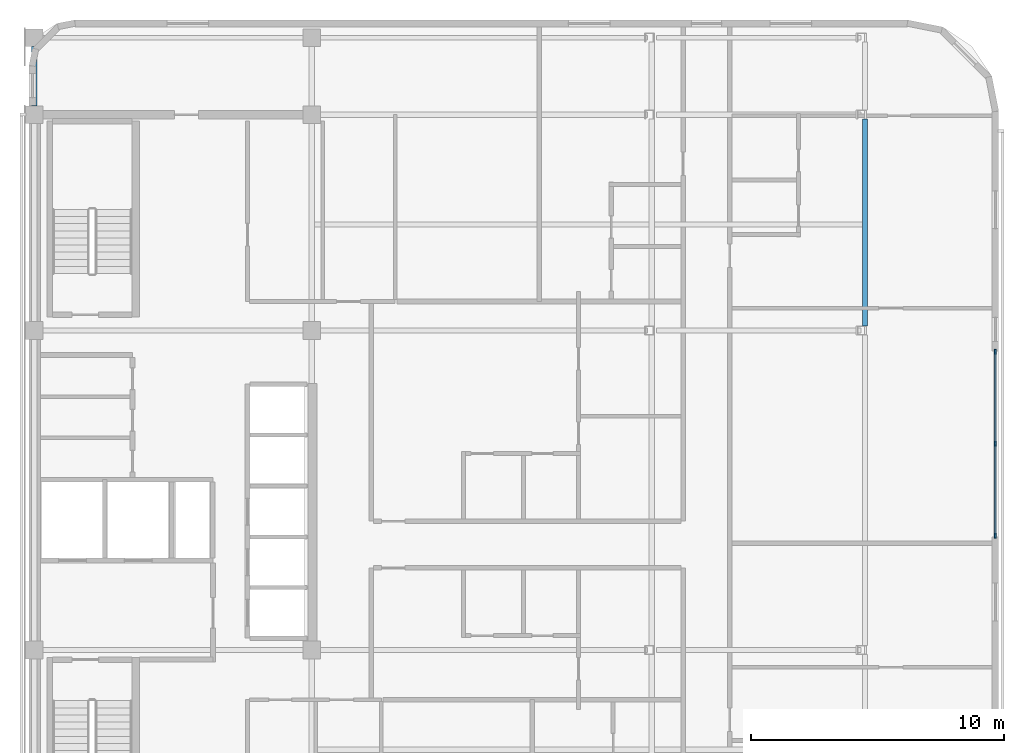
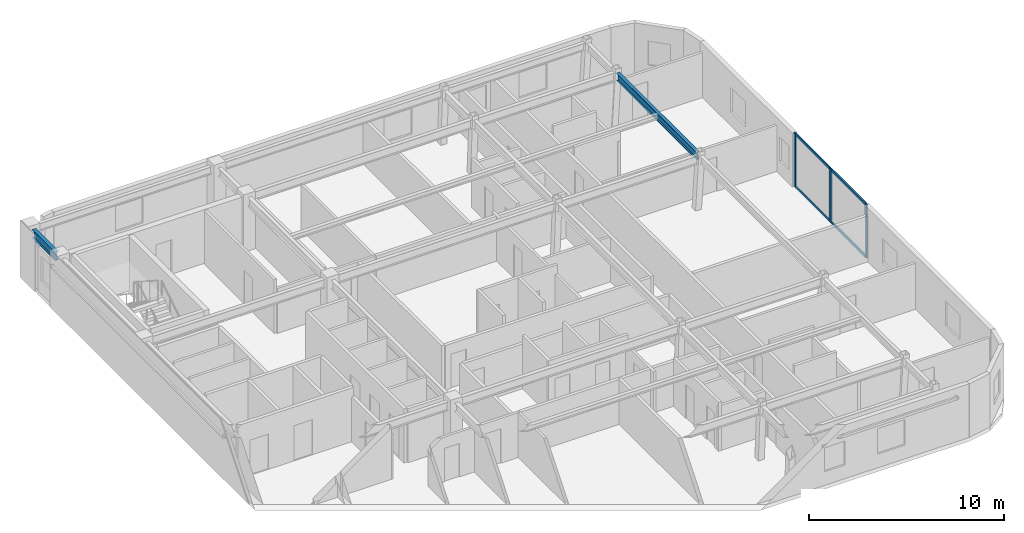
# One storey, part 2 of 10: 7 members, 2 beams, 1 element without a shape of its own.
"""IFC4 building model written with IfcOpenShell, lengths in metres."""

import ifcopenshell
import ifcopenshell.guid

model = None  # the IFC model being written
_history = None  # IfcOwnerHistory: only IFC2X3 demands one
_inside = {}  # id of a spatial element -> (the spatial element, [elements in it])
_under = {}  # id of a project, library or spatial element -> (it, [spatial elements below it])
_declared = {}  # id of a project -> (the project, [libraries it declares])
_typed = {}  # id of a type object -> (the type object, [elements of that type])
_made_of = {}  # id of a material, layer set ... -> (it, [elements and type objects made of it])


def new_model(schema):
    """Start an empty IFC model of exactly this schema.

    Asked for "IFC4X3", IfcOpenShell would pick the latest addendum, in which some entities
    have other attributes; the version numbers below select the first issue.
    IFC2X3 requires an IfcOwnerHistory on every rooted entity: one is made here for all.
    """
    global model, _history
    if schema == "IFC4X3":
        model = ifcopenshell.file(schema_version=(4, 3, 0, 0))
    else:
        model = ifcopenshell.file(schema=schema)
    _inside.clear()
    _under.clear()
    _declared.clear()
    _typed.clear()
    _made_of.clear()
    _history = None
    if model.schema == "IFC2X3":
        org = make("IfcOrganization", Name="unknown")
        user = make(
            "IfcPersonAndOrganization",
            ThePerson=make("IfcPerson", FamilyName="unknown"),
            TheOrganization=org,
        )
        app = make(
            "IfcApplication",
            ApplicationDeveloper=org,
            Version="unknown",
            ApplicationFullName="unknown",
            ApplicationIdentifier="unknown",
        )
        _history = make(
            "IfcOwnerHistory",
            OwningUser=user,
            OwningApplication=app,
            ChangeAction="ADDED",
            CreationDate=0,
        )
    return model


def make(cls, **values):
    """One entity of the class cls with the attributes given. An attribute that is None is left unset."""
    return model.create_entity(
        cls, **{name: value for name, value in values.items() if value is not None}
    )


def rooted(cls, **values):
    """An entity with a GlobalId (a new one), such as an element, a storey or a relation."""
    return make(cls, GlobalId=ifcopenshell.guid.new(), OwnerHistory=_history, **values)


def si_unit(unit_type, name, prefix=None):
    """IfcSIUnit, for example si_unit("LENGTHUNIT", "METRE", prefix="MILLI")."""
    return make("IfcSIUnit", UnitType=unit_type, Prefix=prefix, Name=name)


def assignment(units):
    """IfcUnitAssignment: the units of a project."""
    return None if units is None else make("IfcUnitAssignment", Units=units)


def point(xyz):
    """IfcCartesianPoint."""
    return None if xyz is None else make("IfcCartesianPoint", Coordinates=xyz)


def direction(xyz):
    """IfcDirection."""
    return None if xyz is None else make("IfcDirection", DirectionRatios=xyz)


def frame(location, z_axis=None, x_axis=None):
    """IfcAxis2Placement3D, a coordinate frame: its origin and axes. An axis left out is left unset."""
    return make(
        "IfcAxis2Placement3D",
        Location=point(location),
        Axis=direction(z_axis),
        RefDirection=direction(x_axis),
    )


def frame_2d(location, x_axis=None):
    """IfcAxis2Placement2D, a coordinate frame in the plane: its origin and x axis."""
    return make(
        "IfcAxis2Placement2D", Location=point(location), RefDirection=direction(x_axis)
    )


def origin():
    """The frame at (0, 0, 0) with its axes left unset."""
    return frame((0.0, 0.0, 0.0))


def origin_2d():
    """The frame at (0, 0) in the plane with its x axis left unset."""
    return frame_2d((0.0, 0.0))


def place(relative_to, where):
    """IfcLocalPlacement: puts the frame where relative to a parent placement (None: the world)."""
    return make(
        "IfcLocalPlacement", PlacementRelTo=relative_to, RelativePlacement=where
    )


def context(
    kind, dimensions, precision=None, world=None, true_north=None, identifier=None
):
    """IfcGeometricRepresentationContext, for example the 3D "Model" context."""
    return make(
        "IfcGeometricRepresentationContext",
        ContextIdentifier=identifier,
        ContextType=kind,
        CoordinateSpaceDimension=dimensions,
        Precision=precision,
        WorldCoordinateSystem=world,
        TrueNorth=true_north,
    )


def subcontext(parent, identifier, kind, view, scale=None):
    """IfcGeometricRepresentationSubContext, for example "Body" below "Model"."""
    return make(
        "IfcGeometricRepresentationSubContext",
        ContextIdentifier=identifier,
        ContextType=kind,
        ParentContext=parent,
        TargetScale=scale,
        TargetView=view,
    )


def project(units=None, contexts=None):
    """IfcProject with its units and contexts."""
    return rooted(
        "IfcProject",
        Name="project",
        RepresentationContexts=contexts,
        UnitsInContext=assignment(units),
    )


def spatial(cls, under=None, at=None, **own):
    """A site, building, storey or space (cls), placed at a placement, below another one or the project."""
    s = rooted(cls, ObjectPlacement=at, **own)
    if under is not None:
        _under.setdefault(under.id(), (under, []))[1].append(s)
    return s


def profile(cls, at=None, kind="AREA", **sizes):
    """A parametric profile (cls). Its sizes go by their IFC names, for example OverallWidth=200.0."""
    return make(cls, ProfileType=kind, Position=at, **sizes)


def rectangle(**sizes):
    """IfcRectangleProfileDef."""
    return profile("IfcRectangleProfileDef", **sizes)


def i_section(**sizes):
    """IfcIShapeProfileDef."""
    return profile("IfcIShapeProfileDef", **sizes)


def extrude(swept, where, along, depth):
    """IfcExtrudedAreaSolid: the profile swept, set in the frame where, extruded along a direction by depth."""
    return make(
        "IfcExtrudedAreaSolid",
        SweptArea=swept,
        Position=where,
        ExtrudedDirection=direction(along),
        Depth=depth,
    )


def shape(context_of_items, identifier, shape_type, items):
    """IfcShapeRepresentation: the items that make up one representation, for example the "Body"."""
    return make(
        "IfcShapeRepresentation",
        ContextOfItems=context_of_items,
        RepresentationIdentifier=identifier,
        RepresentationType=shape_type,
        Items=items,
    )


def material(Name=None, Category=None):
    """IfcMaterial."""
    return make("IfcMaterial", Name=Name, Category=Category)


def layer(
    of_material, thickness, ventilated=None, Name=None, Category=None, Priority=None
):
    """IfcMaterialLayer: one layer of a wall or slab, of a material (None: an air gap)."""
    return make(
        "IfcMaterialLayer",
        Material=of_material,
        LayerThickness=thickness,
        IsVentilated=ventilated,
        Name=Name,
        Category=Category,
        Priority=Priority,
    )


def layer_set(layers, Name=None):
    """IfcMaterialLayerSet."""
    return make("IfcMaterialLayerSet", MaterialLayers=layers, LayerSetName=Name)


def material_profile(
    of_material, cross_section, Name=None, Category=None, Priority=None
):
    """IfcMaterialProfile: a cross section and its material."""
    return make(
        "IfcMaterialProfile",
        Name=Name,
        Material=of_material,
        Profile=cross_section,
        Priority=Priority,
        Category=Category,
    )


def profile_set(profiles, Name=None, composite=None):
    """IfcMaterialProfileSet."""
    return make(
        "IfcMaterialProfileSet",
        Name=Name,
        MaterialProfiles=profiles,
        CompositeProfile=composite,
    )


def made_of(thing, what):
    """Note that an element or type object is made of a material, layer set ...; save() writes the relation."""
    if what is not None:
        _made_of.setdefault(what.id(), (what, []))[1].append(thing)
    return thing


def type_object(cls, material=None, **own):
    """A type object (cls), such as IfcWallType, which elements share."""
    return made_of(rooted(cls, **own), material)


def element(
    cls,
    number,
    at=None,
    inside=None,
    cuts=None,
    type_object=None,
    material=None,
    context=None,
    identifier="Body",
    shape_type=None,
    held_by="IfcProductDefinitionShape",
    body=None,
    shapes=None,
    **own,
):
    """One element of the class cls, such as IfcWall. Its Tag is "e" and its number.

    at: its placement. inside: the storey or other place that contains it. cuts: it is an
    opening in that element (IfcRelVoidsElement). A single representation is given by context,
    identifier, shape_type and body (its items); several are given by shapes. held_by: the class
    of the entity that holds the representations. save() writes the other relations.
    """
    e = rooted(cls, Tag="e%d" % number, ObjectPlacement=at, **own)
    if body is not None:
        shapes = [shape(context, identifier, shape_type, body)]
    if shapes is not None:
        e.Representation = make(held_by, Representations=shapes)
    if inside is not None:
        _inside.setdefault(inside.id(), (inside, []))[1].append(e)
    if cuts is not None:
        rooted(
            "IfcRelVoidsElement", RelatingBuildingElement=cuts, RelatedOpeningElement=e
        )
    if type_object is not None:
        _typed.setdefault(type_object.id(), (type_object, []))[1].append(e)
    return made_of(e, material)


def aggregate(whole, parts):
    """IfcRelAggregates: a whole, such as a stair, and the parts it consists of."""
    return rooted("IfcRelAggregates", RelatingObject=whole, RelatedObjects=parts)


def save(model, path):
    """Write the relations noted so far, then the file.

    IfcRelAggregates (storeys below a building ...), IfcRelContainedInSpatialStructure (elements
    in a storey), IfcRelDefinesByType, IfcRelAssociatesMaterial and IfcRelDeclares: one each for
    every whole, place, type object, material and project.
    """
    for whole, parts in _under.values():
        aggregate(whole, parts)
    for where, things in _inside.values():
        rooted(
            "IfcRelContainedInSpatialStructure",
            RelatedElements=things,
            RelatingStructure=where,
        )
    for kind, things in _typed.values():
        rooted("IfcRelDefinesByType", RelatedObjects=things, RelatingType=kind)
    for what, things in _made_of.values():
        rooted("IfcRelAssociatesMaterial", RelatedObjects=things, RelatingMaterial=what)
    for by, libraries in _declared.values():
        rooted("IfcRelDeclares", RelatingContext=by, RelatedDefinitions=libraries)
    model.write(path)


model = new_model("IFC4")

# Units and contexts
model_context = context("Model", 3, precision=1e-05, world=origin(), true_north=direction((0.0, 1.0)))
body_context = subcontext(model_context, "Body", "Model", "MODEL_VIEW")
ifc_project = project(units=[si_unit("LENGTHUNIT", "METRE"), si_unit("AREAUNIT", "SQUARE_METRE"), si_unit("VOLUMEUNIT", "CUBIC_METRE"), si_unit("PLANEANGLEUNIT", "RADIAN"), si_unit("MASSUNIT", "GRAM", prefix="KILO")], contexts=[model_context])

# Site, building, storey
site_placement = place(None, origin())
site = spatial("IfcSite", under=ifc_project, at=site_placement, CompositionType="ELEMENT")
building_placement = place(site_placement, origin())
building = spatial("IfcBuilding", under=site, at=building_placement, Name="Ochreholt Gables", CompositionType="ELEMENT")
storey_placement = place(building_placement, frame((0.0, 0.0, 246.0)))
storey = spatial("IfcBuildingStorey", under=building, at=storey_placement, Name="L64", CompositionType="ELEMENT", Elevation=246.0)

# Beams
ifc_material_1 = material(Name="Steel CSA G40.21 350W", Category="steel")
ifc_material_profile_1 = material_profile(ifc_material_1, i_section(OverallWidth=0.2109375, OverallDepth=0.5390625, WebThickness=0.01171875, FlangeThickness=0.018798828125, at=origin_2d()), Name="W530X109")
ifc_profile_set_1 = profile_set([ifc_material_profile_1], Name="Steel CSA G40.21 350W")
beam_type_1 = type_object("IfcBeamType", Name="BM-G-W530A", PredefinedType="BEAM", material=ifc_profile_set_1)
beam_1_placement = place(storey_placement, frame((24.199951171875, 39.099609375, 3.090576171875), z_axis=(0.0, 1.0, 0.0), x_axis=(-1.0, 0.0, 0.0)))
element("IfcBeam", 1, at=beam_1_placement, inside=storey, type_object=beam_type_1, Name="L64 Beam TBN-L64-C1-Y5Y6", PredefinedType="BEAM", context=body_context, shape_type="SweptSolid", body=[
    extrude(i_section(OverallWidth=0.2109375, OverallDepth=0.5390625, WebThickness=0.01171875, FlangeThickness=0.018798828125, at=origin_2d()), origin(), (0.0, 0.0, 1.0), 2.350830078125),
])
ifc_material_profile_2 = material_profile(ifc_material_1, i_section(OverallWidth=0.19189453125, OverallDepth=0.462890625, WebThickness=0.010498046875, FlangeThickness=0.017578125, at=origin_2d()), Name="W460X89")
ifc_profile_set_2 = profile_set([ifc_material_profile_2], Name="Steel CSA G40.21 350W")
beam_type_2 = type_object("IfcBeamType", Name="BM-SP-W460A", PredefinedType="SPANDREL", material=ifc_profile_set_2)
beam_2_placement = place(storey_placement, frame((57.105224609375, 30.377685546875, 3.12841796875), z_axis=(0.0, 1.0, 0.0), x_axis=(-1.0, 0.0, 0.0)))
element("IfcBeam", 2, at=beam_2_placement, inside=storey, type_object=beam_type_2, Name="L64 Beam TBN-L64-EE-Y4Y5", PredefinedType="SPANDREL", context=body_context, shape_type="SweptSolid", body=[
    extrude(i_section(OverallWidth=0.19189453125, OverallDepth=0.462890625, WebThickness=0.010498046875, FlangeThickness=0.017578125, at=origin_2d()), origin(), (0.0, 0.0, 1.0), 8.19482421875),
])

# Curtain wall, members
ifc_material_2 = material(Name="Unitised Aluminium and Triple Glazing", Category="aluminium")
ifc_layer = layer(ifc_material_2, 0.2099609375, Name="Unitised Aluminium and Triple Glazing")
ifc_layer_set = layer_set([ifc_layer], Name="Unitised Aluminium and Triple Glazing")
curtain_wall_type = type_object("IfcCurtainWallType", Name="CW-SYS5", PredefinedType="NOTDEFINED", material=ifc_layer_set)
curtain_wall_placement = place(storey_placement, origin())
curtain_wall = element("IfcCurtainWall", 3, at=curtain_wall_placement, inside=storey, type_object=curtain_wall_type, Name="L64 East Unitised Curtain Wall", PredefinedType="NOTDEFINED")
ifc_material_3 = material(Name="Anodized Aluminium 6063-T6", Category="aluminium")
ifc_material_profile_3 = material_profile(ifc_material_3, rectangle(XDim=0.074951171875, YDim=0.199951171875, at=origin_2d()), Name="CWM75X200")
ifc_profile_set_3 = profile_set([ifc_material_profile_3], Name="Anodized Aluminium 6063-T6")
member_type_1 = type_object("IfcMemberType", Name="CW-MUL-A", PredefinedType="MULLION", material=ifc_profile_set_3)
member_1_placement = place(storey_placement, frame((62.264892578125, 22.0673828125, 0.0), z_axis=(0.0, 0.0, 1.0), x_axis=(-1.0, 0.0, 0.0)))
member_1 = element("IfcMember", 4, at=member_1_placement, type_object=member_type_1, Name="CW-5 mullion 1", PredefinedType="MULLION", context=body_context, shape_type="SweptSolid", body=[
    extrude(rectangle(XDim=0.074951171875, YDim=0.199951171875, at=origin_2d()), origin(), (0.0, 0.0, 1.0), 3.360107421875),
])
member_2_placement = place(storey_placement, frame((62.264892578125, 25.715087890625, 0.0), z_axis=(0.0, 0.0, 1.0), x_axis=(-1.0, 0.0, 0.0)))
member_2 = element("IfcMember", 5, at=member_2_placement, type_object=member_type_1, Name="CW-5 mullion 2", PredefinedType="MULLION", context=body_context, shape_type="SweptSolid", body=[
    extrude(rectangle(XDim=0.074951171875, YDim=0.199951171875, at=origin_2d()), origin(), (0.0, 0.0, 1.0), 3.360107421875),
])
member_3_placement = place(storey_placement, frame((62.264892578125, 29.362548828125, 0.0), z_axis=(0.0, 0.0, 1.0), x_axis=(-1.0, 0.0, 0.0)))
member_3 = element("IfcMember", 6, at=member_3_placement, type_object=member_type_1, Name="CW-5 mullion 3", PredefinedType="MULLION", context=body_context, shape_type="SweptSolid", body=[
    extrude(rectangle(XDim=0.074951171875, YDim=0.199951171875, at=origin_2d()), origin(), (0.0, 0.0, 1.0), 3.360107421875),
])
ifc_material_profile_4 = material_profile(ifc_material_3, rectangle(XDim=0.074951171875, YDim=0.159912109375, at=origin_2d()), Name="CWT75X160")
ifc_profile_set_4 = profile_set([ifc_material_profile_4], Name="Anodized Aluminium 6063-T6")
member_type_2 = type_object("IfcMemberType", Name="CW-TRN-A", PredefinedType="USERDEFINED", material=ifc_profile_set_4)
member_4_placement = place(storey_placement, frame((62.264892578125, 22.10498046875, 0.03759765625), z_axis=(0.0, 1.0, 0.0), x_axis=(-1.0, 0.0, 0.0)))
member_4 = element("IfcMember", 7, at=member_4_placement, type_object=member_type_2, Name="CW-5 transom 1.1", ObjectType="TRANSOM", PredefinedType="USERDEFINED", context=body_context, shape_type="SweptSolid", body=[
    extrude(rectangle(XDim=0.074951171875, YDim=0.159912109375, at=origin_2d()), origin(), (0.0, 0.0, 1.0), 3.572509765625),
])
member_5_placement = place(storey_placement, frame((62.264892578125, 22.10498046875, 3.322509765625), z_axis=(0.0, 1.0, 0.0), x_axis=(-1.0, 0.0, 0.0)))
member_5 = element("IfcMember", 8, at=member_5_placement, type_object=member_type_2, Name="CW-5 transom 1.2", ObjectType="TRANSOM", PredefinedType="USERDEFINED", context=body_context, shape_type="SweptSolid", body=[
    extrude(rectangle(XDim=0.074951171875, YDim=0.159912109375, at=origin_2d()), origin(), (0.0, 0.0, 1.0), 3.572509765625),
])
member_6_placement = place(storey_placement, frame((62.264892578125, 25.75244140625, 0.03759765625), z_axis=(0.0, 1.0, 0.0), x_axis=(-1.0, 0.0, 0.0)))
member_6 = element("IfcMember", 9, at=member_6_placement, type_object=member_type_2, Name="CW-5 transom 2.1", ObjectType="TRANSOM", PredefinedType="USERDEFINED", context=body_context, shape_type="SweptSolid", body=[
    extrude(rectangle(XDim=0.074951171875, YDim=0.159912109375, at=origin_2d()), origin(), (0.0, 0.0, 1.0), 3.572509765625),
])
member_7_placement = place(storey_placement, frame((62.264892578125, 25.75244140625, 3.322509765625), z_axis=(0.0, 1.0, 0.0), x_axis=(-1.0, 0.0, 0.0)))
member_7 = element("IfcMember", 10, at=member_7_placement, type_object=member_type_2, Name="CW-5 transom 2.2", ObjectType="TRANSOM", PredefinedType="USERDEFINED", context=body_context, shape_type="SweptSolid", body=[
    extrude(rectangle(XDim=0.074951171875, YDim=0.159912109375, at=origin_2d()), origin(), (0.0, 0.0, 1.0), 3.572509765625),
])
aggregate(curtain_wall, [member_1, member_2, member_3, member_4, member_5, member_6, member_7])

save(model, "model.ifc")
